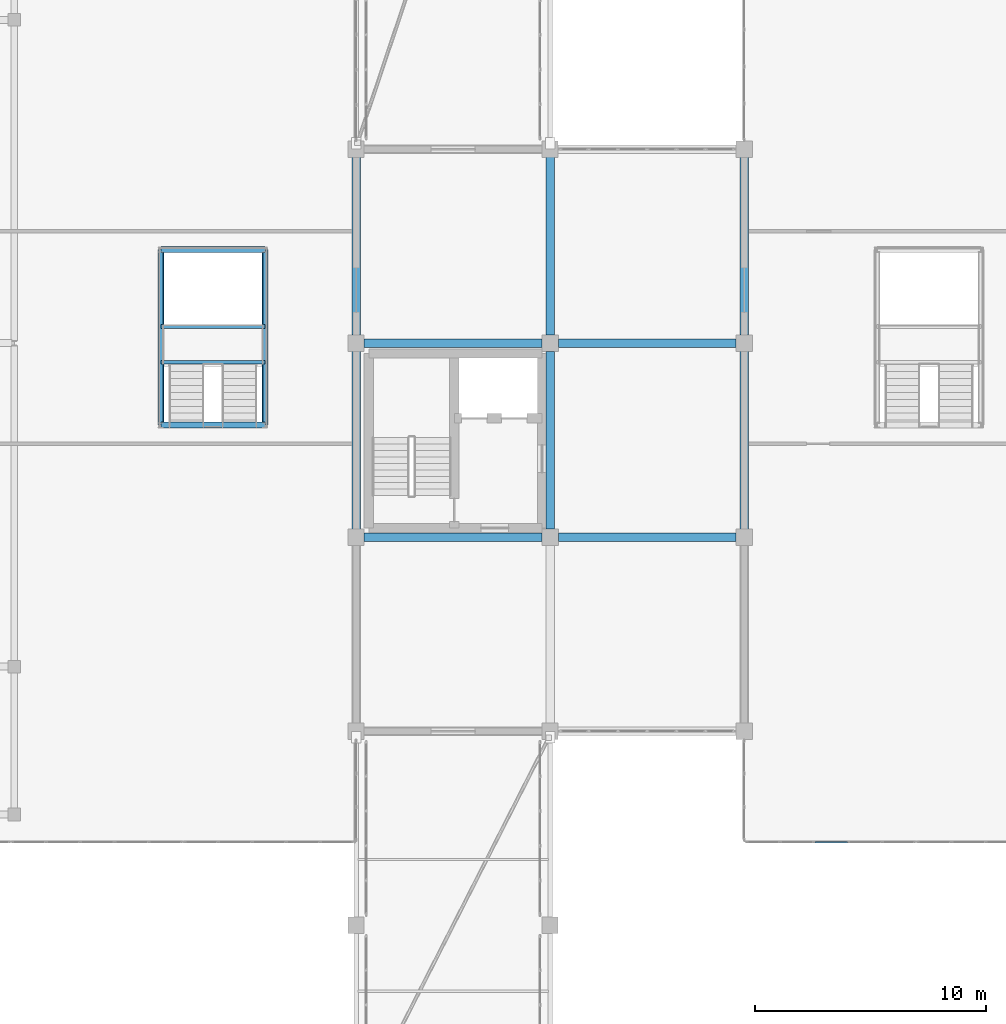
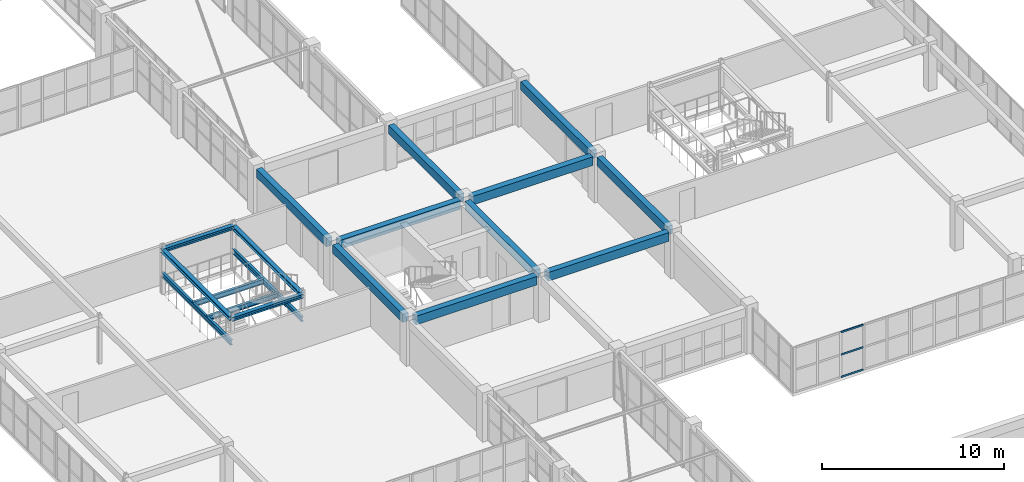
# One storey, part 43 of 148: 18 beams, 3 members, 1 element without a shape of its own.
"""IFC4 building model written with IfcOpenShell, lengths in metres."""

from ifc_helpers import new_model, si_unit, direction, frame, origin, origin_2d, place, context, subcontext, project, spatial, rectangle, hollow_rectangle, i_section, extrude, material, layer, layer_set, material_profile, profile_set, type_object, element, aggregate, save


model = new_model("IFC4")

# Units and contexts
model_context = context("Model", 3, precision=1e-05, world=origin(), true_north=direction((0.0, 1.0)))
body_context = subcontext(model_context, "Body", "Model", "MODEL_VIEW")
ifc_project = project(units=[si_unit("LENGTHUNIT", "METRE"), si_unit("AREAUNIT", "SQUARE_METRE"), si_unit("VOLUMEUNIT", "CUBIC_METRE"), si_unit("PLANEANGLEUNIT", "RADIAN"), si_unit("MASSUNIT", "GRAM", prefix="KILO")], contexts=[model_context])

# Site, building, storey
site_placement = place(None, origin())
site = spatial("IfcSite", under=ifc_project, at=site_placement, CompositionType="ELEMENT")
building_placement = place(site_placement, origin())
building = spatial("IfcBuilding", under=site, at=building_placement, Name="Trelvath General Hospital", CompositionType="ELEMENT")
storey_placement = place(building_placement, frame((0.0, 0.0, 12.89990234375)))
storey = spatial("IfcBuildingStorey", under=building, at=storey_placement, Name="L03", CompositionType="ELEMENT", Elevation=12.89990234375)

# Beams
ifc_material_1 = material(Name="Concrete C35/45", Category="concrete")
ifc_material_profile_1 = material_profile(ifc_material_1, rectangle(XDim=0.360107421875, YDim=0.56005859375, at=origin_2d()), Name="RCB360x560")
ifc_profile_set_1 = profile_set([ifc_material_profile_1], Name="Concrete C35/45")
beam_type_1 = type_object("IfcBeamType", Name="Beam RC360x560", PredefinedType="BEAM", material=ifc_profile_set_1)
for number, where, z_axis, x_axis, name in (
    (1, (75.60009765625, 50.7451171875, 2.739990234375), (0.0, 1.0, 0.0), (-1.0, 0.0, 0.0), "Grid Beam BY-309G"),
    (2, (75.60009765625, 59.14501953125, 2.739990234375), (0.0, 1.0, 0.0), (-1.0, 0.0, 0.0), "Grid Beam BY-309H"),
):
    element("IfcBeam", number, at=place(storey_placement, frame(where, z_axis=z_axis, x_axis=x_axis)), inside=storey, type_object=beam_type_1, Name=name, PredefinedType="BEAM", context=body_context, shape_type="SweptSolid", body=[
        extrude(rectangle(XDim=0.360107421875, YDim=0.56005859375, at=origin_2d()), origin(), (0.0, 0.0, 1.0), 7.7099609375),
    ])
beam_1_placement = place(storey_placement, frame((84.0, 50.7548828125, 2.739990234375), z_axis=(0.0, 1.0, 0.0), x_axis=(-1.0, 0.0, 0.0)))
element("IfcBeam", 3, at=beam_1_placement, inside=storey, type_object=beam_type_1, Name="Grid Beam BY-310G", PredefinedType="BEAM", context=body_context, shape_type="SweptSolid", body=[
    extrude(rectangle(XDim=0.360107421875, YDim=0.56005859375, at=origin_2d()), origin(), (0.0, 0.0, 1.0), 7.690185546875),
])
beam_2_placement = place(storey_placement, frame((84.0, 59.155029296875, 2.739990234375), z_axis=(0.0, 1.0, 0.0), x_axis=(-1.0, 0.0, 0.0)))
element("IfcBeam", 4, at=beam_2_placement, inside=storey, type_object=beam_type_1, Name="Grid Beam BY-310H", PredefinedType="BEAM", context=body_context, shape_type="SweptSolid", body=[
    extrude(rectangle(XDim=0.360107421875, YDim=0.56005859375, at=origin_2d()), origin(), (0.0, 0.0, 1.0), 7.699951171875),
])
for number, where, z_axis, x_axis, name in (
    (5, (92.39990234375, 50.7451171875, 2.739990234375), (0.0, 1.0, 0.0), (-1.0, 0.0, 0.0), "Grid Beam BY-311G"),
    (6, (92.39990234375, 59.14501953125, 2.739990234375), (0.0, 1.0, 0.0), (-1.0, 0.0, 0.0), "Grid Beam BY-311H"),
):
    element("IfcBeam", number, at=place(storey_placement, frame(where, z_axis=z_axis, x_axis=x_axis)), inside=storey, type_object=beam_type_1, Name=name, PredefinedType="BEAM", context=body_context, shape_type="SweptSolid", body=[
        extrude(rectangle(XDim=0.360107421875, YDim=0.56005859375, at=origin_2d()), origin(), (0.0, 0.0, 1.0), 7.7099609375),
    ])
ifc_material_2 = material(Name="Concrete C35/45", Category="concrete")
ifc_material_profile_2 = material_profile(ifc_material_2, rectangle(XDim=0.3798828125, YDim=0.580078125, at=origin_2d()), Name="RCB380x580")
ifc_profile_set_2 = profile_set([ifc_material_profile_2], Name="Concrete C35/45")
beam_type_2 = type_object("IfcBeamType", Name="Beam RC380x580", PredefinedType="BEAM", material=ifc_profile_set_2)
for number, where, z_axis, x_axis, name in (
    (7, (75.945068359375, 50.39990234375, 2.72998046875), (1.0, 0.0, 0.0), (0.0, 1.0, 0.0), "Grid Beam BX-309G"),
    (8, (75.945068359375, 58.800048828125, 2.72998046875), (1.0, 0.0, 0.0), (0.0, 1.0, 0.0), "Grid Beam BX-309H"),
    (9, (84.35498046875, 50.39990234375, 2.72998046875), (1.0, 0.0, 0.0), (0.0, 1.0, 0.0), "Grid Beam BX-310G"),
    (10, (84.35498046875, 58.800048828125, 2.72998046875), (1.0, 0.0, 0.0), (0.0, 1.0, 0.0), "Grid Beam BX-310H"),
):
    element("IfcBeam", number, at=place(storey_placement, frame(where, z_axis=z_axis, x_axis=x_axis)), inside=storey, type_object=beam_type_2, Name=name, PredefinedType="BEAM", context=body_context, shape_type="SweptSolid", body=[
        extrude(rectangle(XDim=0.3798828125, YDim=0.580078125, at=origin_2d()), origin(), (0.0, 0.0, 1.0), 7.699951171875),
    ])

# Curtain wall, members
ifc_material_3 = material(Name="Anodised aluminium and low-E glass", Category="aluminium")
ifc_layer = layer(ifc_material_3, 0.14990234375)
ifc_layer_set = layer_set([ifc_layer], Name="Anodised aluminium and low-E glass")
curtain_wall_type = type_object("IfcCurtainWallType", Name="CW CrystalCube 737 306 15", PredefinedType="USERDEFINED", material=ifc_layer_set)
curtain_wall_placement = place(storey_placement, origin())
curtain_wall = element("IfcCurtainWall", 11, at=curtain_wall_placement, inside=storey, type_object=curtain_wall_type, Name="Crystal Cube Curtain Wall CUBE-E-T1 S1 L03", ObjectType="Unitised Glazed Curtain Wall", PredefinedType="USERDEFINED")
ifc_material_4 = material(Name="Anodised aluminium", Category="aluminium")
ifc_material_profile_3 = material_profile(ifc_material_4, hollow_rectangle(XDim=0.06005859375, YDim=0.110107421875, WallThickness=0.00390625, at=origin_2d()), Name="RHS60x110x4")
ifc_profile_set_3 = profile_set([ifc_material_profile_3], Name="Anodised aluminium")
member_type = type_object("IfcMemberType", Name="CurtainTransom 60x110", PredefinedType="USERDEFINED", material=ifc_profile_set_3)
member_1_placement = place(storey_placement, frame((96.8701171875, 37.199951171875, 0.030029296875), z_axis=(-1.0, 0.0, 0.0), x_axis=(0.0, -1.0, 0.0)))
member_1 = element("IfcMember", 12, at=member_1_placement, type_object=member_type, Name="CW-244 transom 3.1", ObjectType="TRANSOM", PredefinedType="USERDEFINED", context=body_context, shape_type="SweptSolid", body=[
    extrude(hollow_rectangle(XDim=0.06005859375, YDim=0.110107421875, WallThickness=0.00390625, at=origin_2d()), origin(), (0.0, 0.0, 1.0), 1.413330078125),
])
member_2_placement = place(storey_placement, frame((96.8701171875, 37.199951171875, 1.530029296875), z_axis=(-1.0, 0.0, 0.0), x_axis=(0.0, -1.0, 0.0)))
member_2 = element("IfcMember", 13, at=member_2_placement, type_object=member_type, Name="CW-244 transom 3.2", ObjectType="TRANSOM", PredefinedType="USERDEFINED", context=body_context, shape_type="SweptSolid", body=[
    extrude(hollow_rectangle(XDim=0.06005859375, YDim=0.110107421875, WallThickness=0.00390625, at=origin_2d()), origin(), (0.0, 0.0, 1.0), 1.413330078125),
])
member_3_placement = place(storey_placement, frame((96.8701171875, 37.199951171875, 3.030029296875), z_axis=(-1.0, 0.0, 0.0), x_axis=(0.0, -1.0, 0.0)))
member_3 = element("IfcMember", 14, at=member_3_placement, type_object=member_type, Name="CW-244 transom 3.3", ObjectType="TRANSOM", PredefinedType="USERDEFINED", context=body_context, shape_type="SweptSolid", body=[
    extrude(hollow_rectangle(XDim=0.06005859375, YDim=0.110107421875, WallThickness=0.00390625, at=origin_2d()), origin(), (0.0, 0.0, 1.0), 1.413330078125),
])
aggregate(curtain_wall, [member_1, member_2, member_3])

# Beams
ifc_material_5 = material(Name="Steel S355", Category="steel")
ifc_material_profile_4 = material_profile(ifc_material_5, i_section(OverallWidth=0.260009765625, OverallDepth=0.25, WebThickness=0.007568359375, FlangeThickness=0.012451171875, at=origin_2d()), Name="HEA260")
ifc_profile_set_4 = profile_set([ifc_material_profile_4], Name="Steel S355")
beam_type_3 = type_object("IfcBeamType", Name="RingBeam HEA260", PredefinedType="BEAM", material=ifc_profile_set_4)
for number, where, z_axis, x_axis, name in (
    (15, (67.14990234375, 55.25, 2.9150390625), (1.0, 0.0, 0.0), (0.0, 1.0, 0.0), "Atrium Ring Beam CUBE-W S L03"),
    (16, (67.14990234375, 62.85009765625, 2.9150390625), (1.0, 0.0, 0.0), (0.0, 1.0, 0.0), "Atrium Ring Beam CUBE-W N L03"),
):
    element("IfcBeam", number, at=place(storey_placement, frame(where, z_axis=z_axis, x_axis=x_axis)), inside=storey, type_object=beam_type_3, Name=name, PredefinedType="BEAM", context=body_context, shape_type="SweptSolid", body=[
        extrude(i_section(OverallWidth=0.260009765625, OverallDepth=0.25, WebThickness=0.007568359375, FlangeThickness=0.012451171875, at=origin_2d()), origin(), (0.0, 0.0, 1.0), 4.5),
    ])
for number, where, z_axis, x_axis, name in (
    (17, (67.14990234375, 55.25, 2.9150390625), (0.0, 1.0, 0.0), (-1.0, 0.0, 0.0), "Atrium Ring Beam CUBE-W W L03"),
    (18, (71.64990234375, 55.25, 2.9150390625), (0.0, 1.0, 0.0), (-1.0, 0.0, 0.0), "Atrium Ring Beam CUBE-W E L03"),
):
    element("IfcBeam", number, at=place(storey_placement, frame(where, z_axis=z_axis, x_axis=x_axis)), inside=storey, type_object=beam_type_3, Name=name, PredefinedType="BEAM", context=body_context, shape_type="SweptSolid", body=[
        extrude(i_section(OverallWidth=0.260009765625, OverallDepth=0.25, WebThickness=0.007568359375, FlangeThickness=0.012451171875, at=origin_2d()), origin(), (0.0, 0.0, 1.0), 7.60009765625),
    ])
ifc_material_6 = material(Name="Steel S355", Category="steel")
ifc_material_profile_5 = material_profile(ifc_material_6, i_section(OverallWidth=0.159912109375, OverallDepth=0.330078125, WebThickness=0.007568359375, FlangeThickness=0.011474609375, at=origin_2d()), Name="IPE330")
ifc_profile_set_5 = profile_set([ifc_material_profile_5], Name="Steel S355")
beam_type_4 = type_object("IfcBeamType", Name="StairLandingBeam IPE330", PredefinedType="BEAM", material=ifc_profile_set_5)
for number, where, z_axis, x_axis, name in (
    (19, (67.14990234375, 55.25, 1.28515625), (0.0, 1.0, 0.0), (-1.0, 0.0, 0.0), "Cube Stair Stringer Beam CUBE-W W L03"),
    (20, (71.64990234375, 55.25, 1.28515625), (0.0, 1.0, 0.0), (-1.0, 0.0, 0.0), "Cube Stair Stringer Beam CUBE-W E L03"),
):
    element("IfcBeam", number, at=place(storey_placement, frame(where, z_axis=z_axis, x_axis=x_axis)), inside=storey, type_object=beam_type_4, Name=name, PredefinedType="BEAM", context=body_context, shape_type="SweptSolid", body=[
        extrude(i_section(OverallWidth=0.159912109375, OverallDepth=0.330078125, WebThickness=0.007568359375, FlangeThickness=0.011474609375, at=origin_2d()), origin(), (0.0, 0.0, 1.0), 7.60009765625),
    ])
for number, where, z_axis, x_axis, name in (
    (21, (67.14990234375, 57.969970703125, 1.28515625), (1.0, 0.0, 0.0), (0.0, 1.0, 0.0), "Cube Landing Cross Beam CUBE-W S L03"),
    (22, (67.14990234375, 59.52001953125, 1.28515625), (1.0, 0.0, 0.0), (0.0, 1.0, 0.0), "Cube Landing Cross Beam CUBE-W N L03"),
):
    element("IfcBeam", number, at=place(storey_placement, frame(where, z_axis=z_axis, x_axis=x_axis)), inside=storey, type_object=beam_type_4, Name=name, PredefinedType="BEAM", context=body_context, shape_type="SweptSolid", body=[
        extrude(i_section(OverallWidth=0.159912109375, OverallDepth=0.330078125, WebThickness=0.007568359375, FlangeThickness=0.011474609375, at=origin_2d()), origin(), (0.0, 0.0, 1.0), 4.5),
    ])

save(model, "model.ifc")
